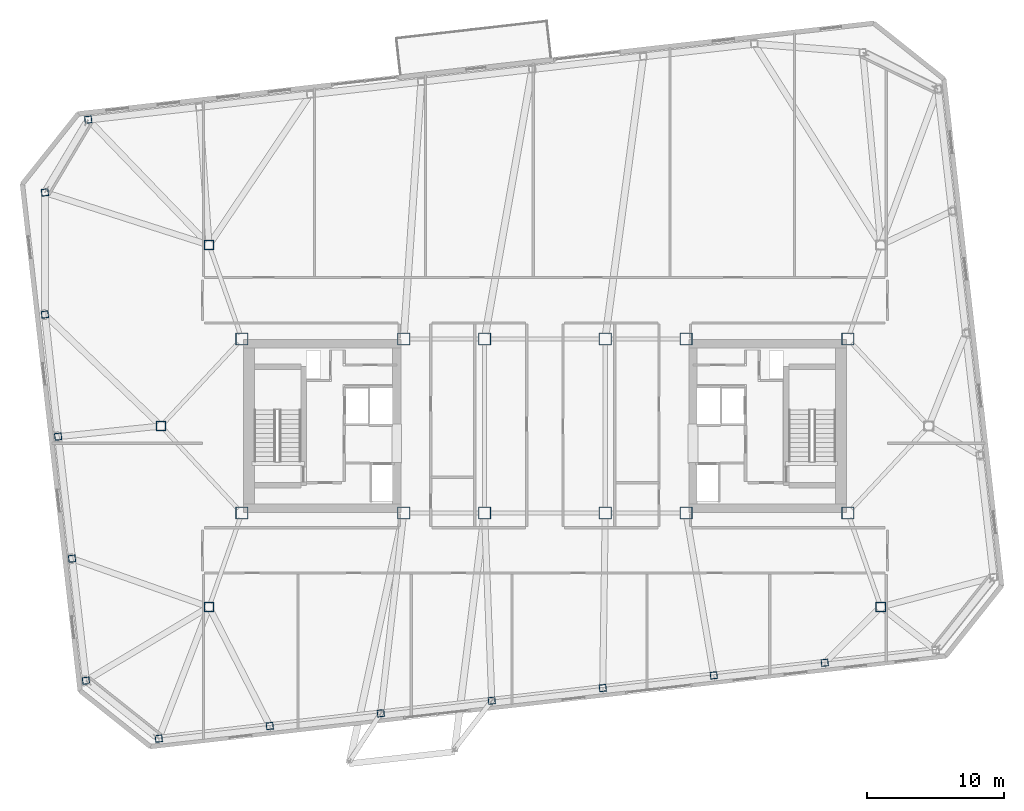
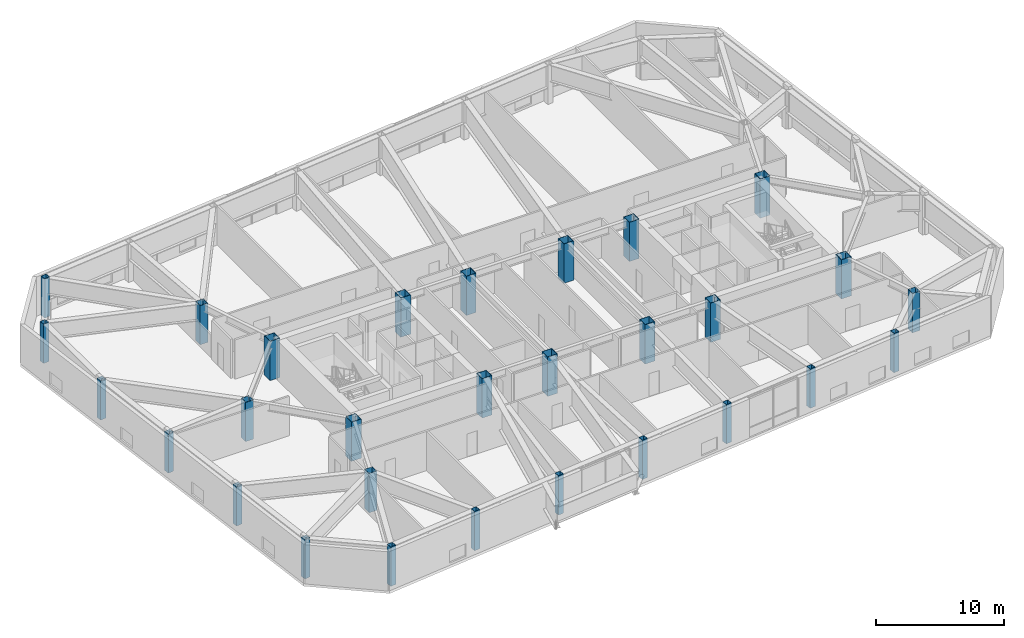
# One storey, part 1 of 20: 29 columns.
"""IFC4 building model written with IfcOpenShell, lengths in metres."""

from ifc_helpers import new_model, si_unit, direction, frame, origin, origin_2d, place, context, subcontext, project, spatial, hollow_rectangle, extrude, material, material_profile, profile_set, type_object, element, save


model = new_model("IFC4")

# Units and contexts
model_context = context("Model", 3, precision=1e-05, world=origin(), true_north=direction((0.0, 1.0)))
body_context = subcontext(model_context, "Body", "Model", "MODEL_VIEW")
ifc_project = project(units=[si_unit("LENGTHUNIT", "METRE"), si_unit("AREAUNIT", "SQUARE_METRE"), si_unit("VOLUMEUNIT", "CUBIC_METRE"), si_unit("PLANEANGLEUNIT", "RADIAN"), si_unit("MASSUNIT", "GRAM", prefix="KILO")], contexts=[model_context])

# Site, building, storey
site_placement = place(None, origin())
site = spatial("IfcSite", under=ifc_project, at=site_placement, CompositionType="ELEMENT")
building_placement = place(site_placement, origin())
building = spatial("IfcBuilding", under=site, at=building_placement, Name="Tavrogorsk Clinical Tower", CompositionType="ELEMENT")
storey_placement = place(building_placement, frame((0.0, 0.0, 214.199951171875)))
storey = spatial("IfcBuildingStorey", under=building, at=storey_placement, Name="L49", CompositionType="ELEMENT", Elevation=214.199951171875)

# Columns
ifc_material_1 = material(Name="Structural steel S440", Category="steel")
ifc_material_profile_1 = material_profile(ifc_material_1, hollow_rectangle(XDim=0.699951171875, YDim=0.699951171875, WallThickness=0.031982421875, at=origin_2d()), Name="BOX-700x700x32")
ifc_profile_set_1 = profile_set([ifc_material_profile_1], Name="Structural steel S440")
column_type_1 = type_object("IfcColumnType", Name="MegaCol_BOX700", PredefinedType="COLUMN", material=ifc_profile_set_1)
for number, where, z_axis, x_axis, name in (
    (1, (-24.5, -13.199951171875, 0.0), (0.0, 0.0, 1.0), (1.0, 0.0, 0.0), "L49 Spine Pilotis Column MC-P1"),
    (2, (24.5, -13.199951171875, 0.0), (0.0, 0.0, 1.0), (1.0, 0.0, 0.0), "L49 Spine Pilotis Column MC-P2"),
    (3, (-24.5, 13.199951171875, 0.0), (0.0, 0.0, 1.0), (1.0, 0.0, 0.0), "L49 Spine Pilotis Column MC-P3"),
    (4, (-28.0, 0.0, 0.0), (0.0, 0.0, 1.0), (1.0, 0.0, 0.0), "L49 Spine Pilotis Column MC-P5"),
):
    element("IfcColumn", number, at=place(storey_placement, frame(where, z_axis=z_axis, x_axis=x_axis)), inside=storey, type_object=column_type_1, Name=name, PredefinedType="COLUMN", context=body_context, shape_type="SweptSolid", body=[
        extrude(hollow_rectangle(XDim=0.699951171875, YDim=0.699951171875, WallThickness=0.031982421875, at=origin_2d()), origin(), (0.0, 0.0, 1.0), 3.739990234375),
    ])
ifc_material_2 = material(Name="Structural steel S440", Category="steel")
ifc_material_profile_2 = material_profile(ifc_material_2, hollow_rectangle(XDim=0.89990234375, YDim=0.89990234375, WallThickness=0.0400390625, at=origin_2d()), Name="BOX-900x900x40")
ifc_profile_set_2 = profile_set([ifc_material_profile_2], Name="Structural steel S440")
column_type_2 = type_object("IfcColumnType", Name="MegaCol_BOX900", PredefinedType="COLUMN", material=ifc_profile_set_2)
for number, where, z_axis, x_axis, name in (
    (5, (-22.10009765625, -6.35009765625, 0.0), (0.0, 0.0, 1.0), (1.0, 0.0, 0.0), "L49 Mega Column MC-W1"),
    (6, (-22.10009765625, 6.35009765625, 0.0), (0.0, 0.0, 1.0), (1.0, 0.0, 0.0), "L49 Mega Column MC-W2"),
    (7, (-10.300048828125, -6.35009765625, 0.0), (0.0, 0.0, 1.0), (1.0, 0.0, 0.0), "L49 Mega Column MC-W3"),
    (8, (-10.300048828125, 6.35009765625, 0.0), (0.0, 0.0, 1.0), (1.0, 0.0, 0.0), "L49 Mega Column MC-W4"),
    (9, (10.300048828125, -6.35009765625, 0.0), (0.0, 0.0, 1.0), (1.0, 0.0, 0.0), "L49 Mega Column MC-E1"),
    (10, (10.300048828125, 6.35009765625, 0.0), (0.0, 0.0, 1.0), (1.0, 0.0, 0.0), "L49 Mega Column MC-E2"),
    (11, (22.10009765625, -6.35009765625, 0.0), (0.0, 0.0, 1.0), (1.0, 0.0, 0.0), "L49 Mega Column MC-E3"),
    (12, (22.10009765625, 6.35009765625, 0.0), (0.0, 0.0, 1.0), (1.0, 0.0, 0.0), "L49 Mega Column MC-E4"),
    (13, (-4.39990234375, -6.35009765625, 0.0), (0.0, 0.0, 1.0), (1.0, 0.0, 0.0), "L49 Mega Column MC-C1"),
    (14, (4.39990234375, -6.35009765625, 0.0), (0.0, 0.0, 1.0), (1.0, 0.0, 0.0), "L49 Mega Column MC-C2"),
    (15, (-4.39990234375, 6.35009765625, 0.0), (0.0, 0.0, 1.0), (1.0, 0.0, 0.0), "L49 Mega Column MC-C3"),
    (16, (4.39990234375, 6.35009765625, 0.0), (0.0, 0.0, 1.0), (1.0, 0.0, 0.0), "L49 Mega Column MC-C4"),
):
    element("IfcColumn", number, at=place(storey_placement, frame(where, z_axis=z_axis, x_axis=x_axis)), inside=storey, type_object=column_type_2, Name=name, PredefinedType="COLUMN", context=body_context, shape_type="SweptSolid", body=[
        extrude(hollow_rectangle(XDim=0.89990234375, YDim=0.89990234375, WallThickness=0.0400390625, at=origin_2d()), origin(), (0.0, 0.0, 1.0), 3.739990234375),
    ])
ifc_material_3 = material(Name="Structural steel S440", Category="steel")
ifc_material_profile_3 = material_profile(ifc_material_3, hollow_rectangle(XDim=0.5, YDim=0.5, WallThickness=0.02490234375, at=origin_2d()), Name="BOX-500x500x25")
ifc_profile_set_3 = profile_set([ifc_material_profile_3], Name="Structural steel S440")
column_type_3 = type_object("IfcColumnType", Name="PerimCol_B4_BOX500", PredefinedType="COLUMN", material=ifc_profile_set_3)
for number, where, z_axis, x_axis, name in (
    (17, (-28.164794921875, -22.802490234375, 0.0), (0.0, 0.0, 1.0), (0.993571855677, 0.113203213768, 0.0), "L49 Perimeter Column S1"),
    (18, (-20.068603515625, -21.880126953125, 0.0), (0.0, 0.0, 1.0), (0.993571855677, 0.113203213768, 0.0), "L49 Perimeter Column S2"),
    (19, (-11.972412109375, -20.95751953125, 0.0), (0.0, 0.0, 1.0), (0.993571855677, 0.113203213768, 0.0), "L49 Perimeter Column S3"),
    (20, (-3.876220703125, -20.03515625, 0.0), (0.0, 0.0, 1.0), (0.993571855677, 0.113203213768, 0.0), "L49 Perimeter Column S4"),
    (21, (4.22021484375, -19.11279296875, 0.0), (0.0, 0.0, 1.0), (0.993571855677, 0.113203213768, 0.0), "L49 Perimeter Column S5"),
    (22, (12.31640625, -18.190185546875, 0.0), (0.0, 0.0, 1.0), (0.993571855677, 0.113203213768, 0.0), "L49 Perimeter Column S6"),
    (23, (20.412353515625, -17.267822265625, 0.0), (0.0, 0.0, 1.0), (0.993571855677, 0.113203213768, 0.0), "L49 Perimeter Column S7"),
    (24, (-33.30859375, 22.345458984375, 0.0), (0.0, 0.0, 1.0), (0.993571855677, 0.113203213768, 0.0), "L49 Perimeter Column N8"),
    (25, (-36.469970703125, 17.032958984375, 0.0), (0.0, 0.0, 1.0), (0.993571855677, 0.113203213768, 0.0), "L49 Perimeter Column W1"),
    (26, (-36.469970703125, 8.130615234375, 0.0), (0.0, 0.0, 1.0), (0.993571855677, 0.113203213768, 0.0), "L49 Perimeter Column W2"),
    (27, (-35.505859375, -0.77197265625, 0.0), (0.0, 0.0, 1.0), (0.993571855677, 0.113203213768, 0.0), "L49 Perimeter Column W3"),
    (28, (-34.491455078125, -9.67431640625, 0.0), (0.0, 0.0, 1.0), (0.993571855677, 0.113203213768, 0.0), "L49 Perimeter Column W4"),
    (29, (-33.477294921875, -18.57666015625, 0.0), (0.0, 0.0, 1.0), (0.993571855677, 0.113203213768, 0.0), "L49 Perimeter Column W5"),
):
    element("IfcColumn", number, at=place(storey_placement, frame(where, z_axis=z_axis, x_axis=x_axis)), inside=storey, type_object=column_type_3, Name=name, PredefinedType="COLUMN", context=body_context, shape_type="SweptSolid", body=[
        extrude(hollow_rectangle(XDim=0.5, YDim=0.5, WallThickness=0.02490234375, at=origin_2d()), origin(), (0.0, 0.0, 1.0), 3.739990234375),
    ])

save(model, "model.ifc")
